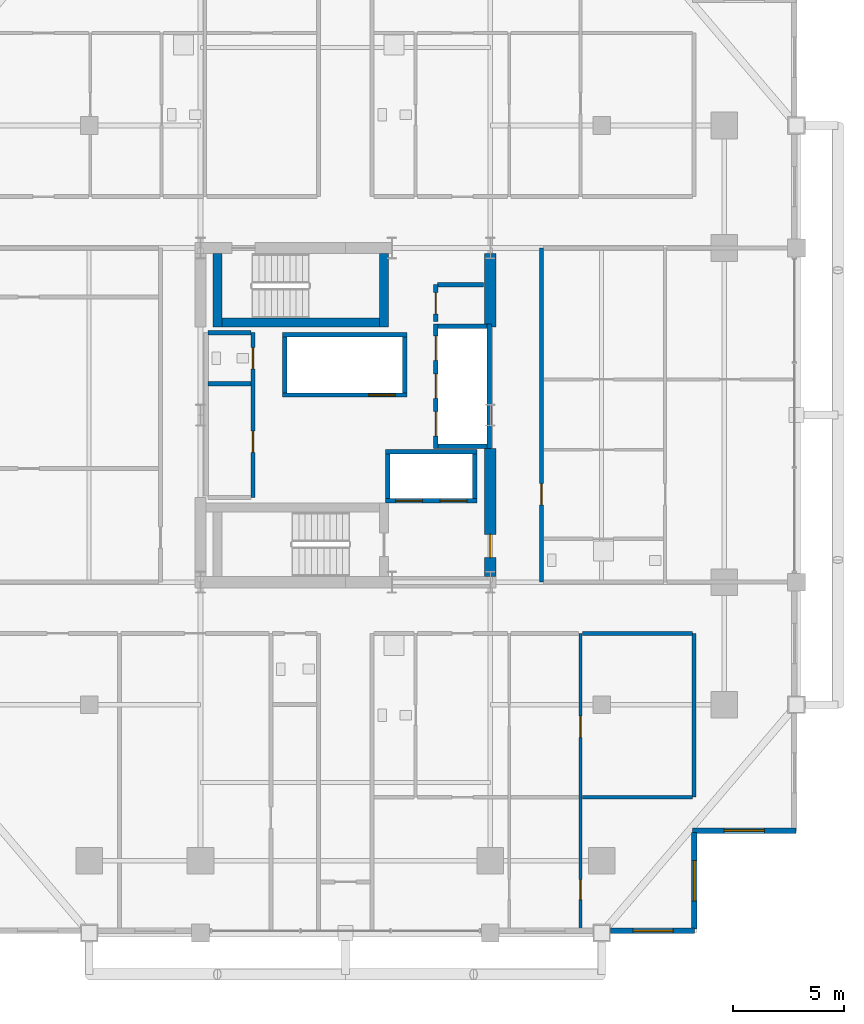
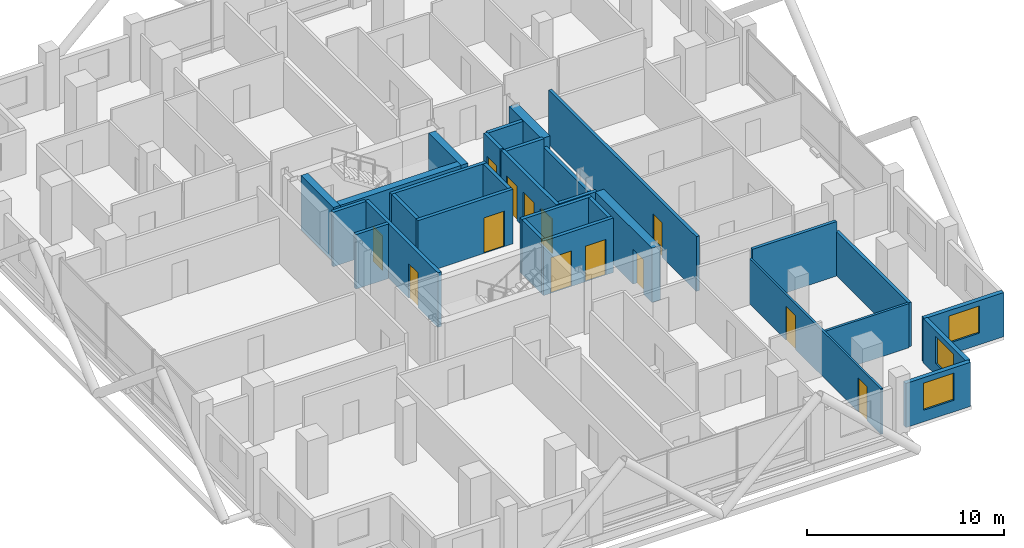
# One storey, part 20 of 25: 30 walls, 13 doors, 3 windows, 16 openings.
"""IFC4 building model written with IfcOpenShell, lengths in metres."""

from ifc_helpers import new_model, si_unit, direction, frame, frame_2d, origin, place, context, subcontext, project, spatial, rectangle, extrude, material, layer, layer_set, type_object, element, fill, save


model = new_model("IFC4")

# Units and contexts
model_context = context("Model", 3, precision=1e-05, world=origin(), true_north=direction((0.0, 1.0)))
body_context = subcontext(model_context, "Body", "Model", "MODEL_VIEW")
ifc_project = project(units=[si_unit("LENGTHUNIT", "METRE"), si_unit("AREAUNIT", "SQUARE_METRE"), si_unit("VOLUMEUNIT", "CUBIC_METRE"), si_unit("PLANEANGLEUNIT", "RADIAN"), si_unit("MASSUNIT", "GRAM", prefix="KILO")], contexts=[model_context])

# Site, building, storey
site_placement = place(None, origin())
site = spatial("IfcSite", under=ifc_project, at=site_placement, CompositionType="ELEMENT")
building_placement = place(site_placement, origin())
building = spatial("IfcBuilding", under=site, at=building_placement, Name="Barlavira Tower and Art Museum", CompositionType="ELEMENT")
storey_placement = place(building_placement, frame((0.0, 0.0, 144.0)))
storey = spatial("IfcBuildingStorey", under=building, at=storey_placement, Name="L36", CompositionType="ELEMENT", Elevation=144.0)

# Wall, openings, doors
ifc_material_1 = material(Name="Gypsum acoustic stud partition", Category="gypsum")
ifc_layer_1 = layer(ifc_material_1, 0.1201171875, Name="Gypsum acoustic stud partition")
ifc_layer_set_1 = layer_set([ifc_layer_1], Name="Gypsum acoustic stud partition")
wall_type_1 = type_object("IfcWallType", Name="Apartment Internal Acoustic Partition 120", PredefinedType="PARTITIONING", material=ifc_layer_set_1)
wall_1_placement = place(storey_placement, frame((10.550048828125, -23.14990234375, 0.0), z_axis=(0.0, 0.0, 1.0), x_axis=(0.0, 1.0, 0.0)))
wall_1 = element("IfcWall", 1, at=wall_1_placement, inside=storey, type_object=wall_type_1, Name="L36 Partition Wall 20", PredefinedType="PARTITIONING", context=body_context, shape_type="SweptSolid", body=[
    extrude(rectangle(XDim=13.349853515625, YDim=0.1201171875, at=frame_2d((6.6748046875, 0.0))), origin(), (0.0, 0.0, 1.0), 2.81591796875),
])
opening_1_placement = place(wall_1_placement, frame((8.686767578125, 0.0, 0.0)))
opening_1 = element("IfcOpeningElement", 2, at=opening_1_placement, cuts=wall_1, Name="Opening D-02", PredefinedType="OPENING", context=body_context, shape_type="SweptSolid", body=[
    extrude(rectangle(XDim=0.949951171875, YDim=2.10009765625, at=frame_2d((0.47509765625, 1.050048828125))), frame((0.0, 0.070068359375, 0.0), z_axis=(0.0, -1.0, 0.0), x_axis=(1.0, 0.0, 0.0)), (0.0, 0.0, 1.0), 0.14013671875),
])
opening_2_placement = place(wall_1_placement, frame((1.39892578125, 0.0, 0.0)))
opening_2 = element("IfcOpeningElement", 3, at=opening_2_placement, cuts=wall_1, Name="Opening D-01", PredefinedType="OPENING", context=body_context, shape_type="SweptSolid", body=[
    extrude(rectangle(XDim=0.89990234375, YDim=2.10009765625, at=frame_2d((0.449951171875, 1.050048828125))), frame((0.0, 0.070068359375, 0.0), z_axis=(0.0, -1.0, 0.0), x_axis=(1.0, 0.0, 0.0)), (0.0, 0.0, 1.0), 0.14013671875),
])
ifc_material_2 = material(Name="Engineered coastal hardwood", Category="wood")
door_type_1 = type_object("IfcDoorType", Name="Internal Bedroom Timber Flush Door 900x2100", OperationType="NOTDEFINED", PredefinedType="DOOR", material=ifc_material_2)
door_1_placement = place(opening_2_placement, origin())
door_1 = element("IfcDoor", 4, at=door_1_placement, inside=storey, type_object=door_type_1, Name="Apartment SE1 Bedroom 2 Door", OperationType="SINGLE_SWING_LEFT", OverallHeight=2.10009765625, OverallWidth=0.89990234375, PredefinedType="DOOR", context=body_context, shape_type="SweptSolid", body=[
    extrude(rectangle(XDim=0.89990234375, YDim=2.10009765625, at=frame_2d((0.449951171875, 1.050048828125))), frame((0.0, 0.02490234375, 0.0), z_axis=(0.0, -1.0, 0.0), x_axis=(1.0, 0.0, 0.0)), (0.0, 0.0, 1.0), 0.050048828125),
])
fill(opening_2, door_1)
door_type_2 = type_object("IfcDoorType", Name="Living and Salon Glazed-Leaf Door 950x2100", OperationType="NOTDEFINED", PredefinedType="DOOR", material=ifc_material_2)
door_2_placement = place(opening_1_placement, origin())
door_2 = element("IfcDoor", 5, at=door_2_placement, inside=storey, type_object=door_type_2, Name="Apartment SE1 Dining Salon Door", OperationType="SINGLE_SWING_RIGHT", OverallHeight=2.10009765625, OverallWidth=0.949951171875, PredefinedType="DOOR", context=body_context, shape_type="SweptSolid", body=[
    extrude(rectangle(XDim=0.949951171875, YDim=2.10009765625, at=frame_2d((0.47509765625, 1.050048828125))), frame((0.0, 0.02490234375, 0.0), z_axis=(0.0, -1.0, 0.0), x_axis=(1.0, 0.0, 0.0)), (0.0, 0.0, 1.0), 0.050048828125),
])
fill(opening_1, door_2)

# Wall, opening, door
ifc_material_3 = material(Name="Concrete C60", Category="concrete")
ifc_layer_2 = layer(ifc_material_3, 0.5, Name="Concrete C60")
ifc_layer_set_2 = layer_set([ifc_layer_2], Name="Concrete C60")
wall_type_2 = type_object("IfcWallType", Name="Core Structural Shear Wall 500 Concrete C60", PredefinedType="SHEAR", material=ifc_layer_set_2)
wall_2_placement = place(storey_placement, frame((6.5, -7.25, 0.0), z_axis=(0.0, 0.0, 1.0), x_axis=(0.0, 1.0, 0.0)))
wall_2 = element("IfcWall", 6, at=wall_2_placement, inside=storey, type_object=wall_type_2, Name="L36 Core Shear Wall CS-E1", PredefinedType="SHEAR", context=body_context, shape_type="SweptSolid", body=[
    extrude(rectangle(XDim=5.75, YDim=0.5, at=frame_2d((2.875, 0.0))), origin(), (0.0, 0.0, 1.0), 3.3798828125),
])
opening_3_placement = place(wall_2_placement, frame((0.85009765625, 0.0, 0.0)))
opening_3 = element("IfcOpeningElement", 7, at=opening_3_placement, cuts=wall_2, Name="Opening FD-90", PredefinedType="OPENING", context=body_context, shape_type="SweptSolid", body=[
    extrude(rectangle(XDim=1.050048828125, YDim=2.14990234375, at=frame_2d((0.52490234375, 1.074951171875))), frame((0.0, 0.260009765625, 0.0), z_axis=(0.0, -1.0, 0.0), x_axis=(1.0, 0.0, 0.0)), (0.0, 0.0, 1.0), 0.52001953125),
])
ifc_material_4 = material(Name="Brushed stainless steel", Category="steel")
door_type_3 = type_object("IfcDoorType", Name="Stair and Refuge Fire Door 1050x2150 FD90S", OperationType="NOTDEFINED", PredefinedType="DOOR", material=ifc_material_4)
door_3_placement = place(opening_3_placement, origin())
door_3 = element("IfcDoor", 8, at=door_3_placement, inside=storey, type_object=door_type_3, Name="L36 Firefighting Lobby Entry Fire Door", OperationType="SINGLE_SWING_LEFT", OverallHeight=2.14990234375, OverallWidth=1.050048828125, PredefinedType="DOOR", context=body_context, shape_type="SweptSolid", body=[
    extrude(rectangle(XDim=1.050048828125, YDim=2.14990234375, at=frame_2d((0.52490234375, 1.074951171875))), frame((0.0, 0.02490234375, 0.0), z_axis=(0.0, -1.0, 0.0), x_axis=(1.0, 0.0, 0.0)), (0.0, 0.0, 1.0), 0.050048828125),
])
fill(opening_3, door_3)

# Wall
wall_3_placement = place(storey_placement, frame((6.5, 3.949951171875, 0.0), z_axis=(0.0, 0.0, 1.0), x_axis=(0.0, 1.0, 0.0)))
element("IfcWall", 9, at=wall_3_placement, inside=storey, type_object=wall_type_2, Name="L36 Core Shear Wall CS-E2", PredefinedType="SHEAR", context=body_context, shape_type="SweptSolid", body=[
    extrude(rectangle(XDim=3.300048828125, YDim=0.5, at=frame_2d((1.64990234375, 0.0))), origin(), (0.0, 0.0, 1.0), 3.3798828125),
])

# Wall, openings, doors
ifc_material_5 = material(Name="Autoclaved aerated concrete masonry", Category="masonry")
ifc_layer_3 = layer(ifc_material_5, 0.199951171875, Name="Autoclaved aerated concrete masonry")
ifc_layer_set_3 = layer_set([ifc_layer_3], Name="Autoclaved aerated concrete masonry")
wall_type_3 = type_object("IfcWallType", Name="Fire Compartment and Shaft Wall 200", PredefinedType="SOLIDWALL", material=ifc_layer_set_3)
wall_4_placement = place(storey_placement, frame((4.050048828125, -1.489990234375, 0.0), z_axis=(0.0, 0.0, 1.0), x_axis=(0.0, 1.0, 0.0)))
wall_4 = element("IfcWall", 10, at=wall_4_placement, inside=storey, type_object=wall_type_3, Name="L36 Mid-Rise Lift Front Shaft Wall", PredefinedType="SOLIDWALL", context=body_context, shape_type="SweptSolid", body=[
    extrude(rectangle(XDim=5.580078125, YDim=0.199951171875, at=frame_2d((2.7900390625, 0.0))), origin(), (0.0, 0.0, 1.0), 3.3798828125),
])
opening_4_placement = place(wall_4_placement, frame((0.5400390625, 0.0, 0.0)))
opening_4 = element("IfcOpeningElement", 11, at=opening_4_placement, cuts=wall_4, Name="Opening LD-P", PredefinedType="OPENING", context=body_context, shape_type="SweptSolid", body=[
    extrude(rectangle(XDim=1.10009765625, YDim=2.14990234375, at=frame_2d((0.550048828125, 1.074951171875))), frame((0.0, 0.10986328125, 0.0), z_axis=(0.0, -1.0, 0.0), x_axis=(1.0, 0.0, 0.0)), (0.0, 0.0, 1.0), 0.219970703125),
])
opening_5_placement = place(wall_4_placement, frame((2.239990234375, 0.0, 0.0)))
opening_5 = element("IfcOpeningElement", 12, at=opening_5_placement, cuts=wall_4, Name="Opening LD-P", PredefinedType="OPENING", context=body_context, shape_type="SweptSolid", body=[
    extrude(rectangle(XDim=1.10009765625, YDim=2.14990234375, at=frame_2d((0.550048828125, 1.074951171875))), frame((0.0, 0.10986328125, 0.0), z_axis=(0.0, -1.0, 0.0), x_axis=(1.0, 0.0, 0.0)), (0.0, 0.0, 1.0), 0.219970703125),
])
opening_6_placement = place(wall_4_placement, frame((3.93994140625, 0.0, 0.0)))
opening_6 = element("IfcOpeningElement", 13, at=opening_6_placement, cuts=wall_4, Name="Opening LD-P", PredefinedType="OPENING", context=body_context, shape_type="SweptSolid", body=[
    extrude(rectangle(XDim=1.10009765625, YDim=2.14990234375, at=frame_2d((0.550048828125, 1.074951171875))), frame((0.0, 0.10986328125, 0.0), z_axis=(0.0, -1.0, 0.0), x_axis=(1.0, 0.0, 0.0)), (0.0, 0.0, 1.0), 0.219970703125),
])
door_type_4 = type_object("IfcDoorType", Name="Passenger Lift Sliding Landing Door 1100x2150 FD60", OperationType="NOTDEFINED", PredefinedType="DOOR", material=ifc_material_4)
door_4_placement = place(opening_4_placement, origin())
door_4 = element("IfcDoor", 14, at=door_4_placement, inside=storey, type_object=door_type_4, Name="L36 Lift PM1 Sliding Landing Door", OperationType="DOUBLE_DOOR_SLIDING", OverallHeight=2.14990234375, OverallWidth=1.10009765625, PredefinedType="DOOR", context=body_context, shape_type="SweptSolid", body=[
    extrude(rectangle(XDim=1.10009765625, YDim=2.14990234375, at=frame_2d((0.550048828125, 1.074951171875))), frame((0.0, 0.02490234375, 0.0), z_axis=(0.0, -1.0, 0.0), x_axis=(1.0, 0.0, 0.0)), (0.0, 0.0, 1.0), 0.050048828125),
])
fill(opening_4, door_4)
door_5_placement = place(opening_5_placement, origin())
door_5 = element("IfcDoor", 15, at=door_5_placement, inside=storey, type_object=door_type_4, Name="L36 Lift PM2 Sliding Landing Door", OperationType="DOUBLE_DOOR_SLIDING", OverallHeight=2.14990234375, OverallWidth=1.10009765625, PredefinedType="DOOR", context=body_context, shape_type="SweptSolid", body=[
    extrude(rectangle(XDim=1.10009765625, YDim=2.14990234375, at=frame_2d((0.550048828125, 1.074951171875))), frame((0.0, 0.02490234375, 0.0), z_axis=(0.0, -1.0, 0.0), x_axis=(1.0, 0.0, 0.0)), (0.0, 0.0, 1.0), 0.050048828125),
])
fill(opening_5, door_5)
door_6_placement = place(opening_6_placement, origin())
door_6 = element("IfcDoor", 16, at=door_6_placement, inside=storey, type_object=door_type_4, Name="L36 Lift PM3 Sliding Landing Door", OperationType="DOUBLE_DOOR_SLIDING", OverallHeight=2.14990234375, OverallWidth=1.10009765625, PredefinedType="DOOR", context=body_context, shape_type="SweptSolid", body=[
    extrude(rectangle(XDim=1.10009765625, YDim=2.14990234375, at=frame_2d((0.550048828125, 1.074951171875))), frame((0.0, 0.02490234375, 0.0), z_axis=(0.0, -1.0, 0.0), x_axis=(1.0, 0.0, 0.0)), (0.0, 0.0, 1.0), 0.050048828125),
])
fill(opening_6, door_6)

# Walls
wall_5_placement = place(storey_placement, frame((6.449951171875, -1.489990234375, 0.0), z_axis=(0.0, 0.0, 1.0), x_axis=(0.0, 1.0, 0.0)))
element("IfcWall", 17, at=wall_5_placement, inside=storey, type_object=wall_type_3, Name="L36 Mid-Rise Lift Back Shaft Wall", PredefinedType="SOLIDWALL", context=body_context, shape_type="SweptSolid", body=[
    extrude(rectangle(XDim=5.580078125, YDim=0.199951171875, at=frame_2d((2.7900390625, 0.0))), origin(), (0.0, 0.0, 1.0), 2.81591796875),
])
for number, where, z_axis, x_axis, name in (
    (18, (4.14990234375, -1.389892578125, 0.0), (0.0, 0.0, 1.0), (1.0, 0.0, 0.0), "L36 Mid-Rise Lift South Shaft Wall"),
    (19, (4.14990234375, 3.989990234375, 0.0), (0.0, 0.0, 1.0), (1.0, 0.0, 0.0), "L36 Mid-Rise Lift North Shaft Wall"),
):
    element("IfcWall", number, at=place(storey_placement, frame(where, z_axis=z_axis, x_axis=x_axis)), inside=storey, type_object=wall_type_3, Name=name, PredefinedType="SOLIDWALL", context=body_context, shape_type="SweptSolid", body=[
        extrude(rectangle(XDim=2.2001953125, YDim=0.199951171875, at=frame_2d((1.10009765625, 0.0))), origin(), (0.0, 0.0, 1.0), 3.3798828125),
    ])

# Wall, opening, door
wall_6_placement = place(storey_placement, frame((-2.820068359375, 0.89990234375, 0.0), z_axis=(0.0, 0.0, 1.0), x_axis=(1.0, 0.0, 0.0)))
wall_6 = element("IfcWall", 20, at=wall_6_placement, inside=storey, type_object=wall_type_3, Name="L36 High-Rise & Service Lift Front Wall", PredefinedType="SOLIDWALL", context=body_context, shape_type="SweptSolid", body=[
    extrude(rectangle(XDim=5.580078125, YDim=0.199951171875, at=frame_2d((2.7900390625, 0.0))), origin(), (0.0, 0.0, 1.0), 3.3798828125),
])
opening_7_placement = place(wall_6_placement, frame((3.860107421875, 0.0, 0.0)))
opening_7 = element("IfcOpeningElement", 21, at=opening_7_placement, cuts=wall_6, Name="Opening LD-F", PredefinedType="OPENING", context=body_context, shape_type="SweptSolid", body=[
    extrude(rectangle(XDim=1.199951171875, YDim=2.199951171875, at=frame_2d((0.60009765625, 1.10009765625))), frame((0.0, 0.10986328125, 0.0), z_axis=(0.0, -1.0, 0.0), x_axis=(1.0, 0.0, 0.0)), (0.0, 0.0, 1.0), 0.219970703125),
])
door_type_5 = type_object("IfcDoorType", Name="Firefighting and Service Lift Sliding Door 1200x2200 FD120", OperationType="NOTDEFINED", PredefinedType="DOOR", material=ifc_material_4)
door_7_placement = place(opening_7_placement, origin())
door_7 = element("IfcDoor", 22, at=door_7_placement, inside=storey, type_object=door_type_5, Name="L36 Stretcher Service Lift SL1 Sliding Door", OperationType="DOUBLE_DOOR_SLIDING", OverallHeight=2.199951171875, OverallWidth=1.199951171875, PredefinedType="DOOR", context=body_context, shape_type="SweptSolid", body=[
    extrude(rectangle(XDim=1.199951171875, YDim=2.199951171875, at=frame_2d((0.60009765625, 1.10009765625))), frame((0.0, 0.02490234375, 0.0), z_axis=(0.0, -1.0, 0.0), x_axis=(1.0, 0.0, 0.0)), (0.0, 0.0, 1.0), 0.050048828125),
])
fill(opening_7, door_7)

# Walls
wall_7_placement = place(storey_placement, frame((-2.820068359375, 3.60009765625, 0.0), z_axis=(0.0, 0.0, 1.0), x_axis=(1.0, 0.0, 0.0)))
element("IfcWall", 23, at=wall_7_placement, inside=storey, type_object=wall_type_3, Name="L36 High-Rise & Service Lift Back Wall", PredefinedType="SOLIDWALL", context=body_context, shape_type="SweptSolid", body=[
    extrude(rectangle(XDim=5.580078125, YDim=0.199951171875, at=frame_2d((2.7900390625, 0.0))), origin(), (0.0, 0.0, 1.0), 3.3798828125),
])
for number, where, z_axis, x_axis, name in (
    (24, (-2.719970703125, 1.0, 0.0), (0.0, 0.0, 1.0), (0.0, 1.0, 0.0), "L36 High-Rise & Service Lift West Wall"),
    (25, (2.659912109375, 1.0, 0.0), (0.0, 0.0, 1.0), (0.0, 1.0, 0.0), "L36 High-Rise & Service Lift East Wall"),
):
    element("IfcWall", number, at=place(storey_placement, frame(where, z_axis=z_axis, x_axis=x_axis)), inside=storey, type_object=wall_type_3, Name=name, PredefinedType="SOLIDWALL", context=body_context, shape_type="SweptSolid", body=[
        extrude(rectangle(XDim=2.5, YDim=0.199951171875, at=frame_2d((1.25, 0.0))), origin(), (0.0, 0.0, 1.0), 3.3798828125),
    ])

# Wall, openings, doors
wall_8_placement = place(storey_placement, frame((1.800048828125, -3.85009765625, 0.0), z_axis=(0.0, 0.0, 1.0), x_axis=(1.0, 0.0, 0.0)))
wall_8 = element("IfcWall", 26, at=wall_8_placement, inside=storey, type_object=wall_type_3, Name="L36 Firefighting Lift Front Shaft Wall", PredefinedType="SOLIDWALL", context=body_context, shape_type="SweptSolid", body=[
    extrude(rectangle(XDim=4.099853515625, YDim=0.199951171875, at=frame_2d((2.0498046875, 0.0))), origin(), (0.0, 0.0, 1.0), 3.3798828125),
])
opening_8_placement = place(wall_8_placement, frame((0.449951171875, 0.0, 0.0)))
opening_8 = element("IfcOpeningElement", 27, at=opening_8_placement, cuts=wall_8, Name="Opening LD-F", PredefinedType="OPENING", context=body_context, shape_type="SweptSolid", body=[
    extrude(rectangle(XDim=1.199951171875, YDim=2.199951171875, at=frame_2d((0.60009765625, 1.10009765625))), frame((0.0, 0.10986328125, 0.0), z_axis=(0.0, -1.0, 0.0), x_axis=(1.0, 0.0, 0.0)), (0.0, 0.0, 1.0), 0.219970703125),
])
opening_9_placement = place(wall_8_placement, frame((2.449951171875, 0.0, 0.0)))
opening_9 = element("IfcOpeningElement", 28, at=opening_9_placement, cuts=wall_8, Name="Opening LD-F", PredefinedType="OPENING", context=body_context, shape_type="SweptSolid", body=[
    extrude(rectangle(XDim=1.199951171875, YDim=2.199951171875, at=frame_2d((0.60009765625, 1.10009765625))), frame((0.0, 0.10986328125, 0.0), z_axis=(0.0, -1.0, 0.0), x_axis=(1.0, 0.0, 0.0)), (0.0, 0.0, 1.0), 0.219970703125),
])
door_8_placement = place(opening_8_placement, origin())
door_8 = element("IfcDoor", 29, at=door_8_placement, inside=storey, type_object=door_type_5, Name="L36 Firefighting Lift FF1 Sliding Door", OperationType="DOUBLE_DOOR_SLIDING", OverallHeight=2.199951171875, OverallWidth=1.199951171875, PredefinedType="DOOR", context=body_context, shape_type="SweptSolid", body=[
    extrude(rectangle(XDim=1.199951171875, YDim=2.199951171875, at=frame_2d((0.60009765625, 1.10009765625))), frame((0.0, 0.02490234375, 0.0), z_axis=(0.0, -1.0, 0.0), x_axis=(1.0, 0.0, 0.0)), (0.0, 0.0, 1.0), 0.050048828125),
])
fill(opening_8, door_8)
door_9_placement = place(opening_9_placement, origin())
door_9 = element("IfcDoor", 30, at=door_9_placement, inside=storey, type_object=door_type_5, Name="L36 Firefighting Lift FF2 Sliding Door", OperationType="DOUBLE_DOOR_SLIDING", OverallHeight=2.199951171875, OverallWidth=1.199951171875, PredefinedType="DOOR", context=body_context, shape_type="SweptSolid", body=[
    extrude(rectangle(XDim=1.199951171875, YDim=2.199951171875, at=frame_2d((0.60009765625, 1.10009765625))), frame((0.0, 0.02490234375, 0.0), z_axis=(0.0, -1.0, 0.0), x_axis=(1.0, 0.0, 0.0)), (0.0, 0.0, 1.0), 0.050048828125),
])
fill(opening_9, door_9)

# Walls
wall_9_placement = place(storey_placement, frame((1.800048828125, -1.64990234375, 0.0), z_axis=(0.0, 0.0, 1.0), x_axis=(1.0, 0.0, 0.0)))
element("IfcWall", 31, at=wall_9_placement, inside=storey, type_object=wall_type_3, Name="L36 Firefighting Lift Back Shaft Wall", PredefinedType="SOLIDWALL", context=body_context, shape_type="SweptSolid", body=[
    extrude(rectangle(XDim=4.099853515625, YDim=0.199951171875, at=frame_2d((2.0498046875, 0.0))), origin(), (0.0, 0.0, 1.0), 3.3798828125),
])
for number, where, z_axis, x_axis, name in (
    (32, (1.89990234375, -3.75, 0.0), (0.0, 0.0, 1.0), (0.0, 1.0, 0.0), "L36 Firefighting Lift West Shaft Wall"),
    (33, (5.800048828125, -3.75, 0.0), (0.0, 0.0, 1.0), (0.0, 1.0, 0.0), "L36 Firefighting Lift East Shaft Wall"),
):
    element("IfcWall", number, at=place(storey_placement, frame(where, z_axis=z_axis, x_axis=x_axis)), inside=storey, type_object=wall_type_3, Name=name, PredefinedType="SOLIDWALL", context=body_context, shape_type="SweptSolid", body=[
        extrude(rectangle(XDim=2.0, YDim=0.199951171875, at=frame_2d((1.0, 0.0))), origin(), (0.0, 0.0, 1.0), 3.3798828125),
    ])

# Wall, openings, doors
wall_10_placement = place(storey_placement, frame((-4.14990234375, -3.699951171875, 0.0), z_axis=(0.0, 0.0, 1.0), x_axis=(0.0, 1.0, 0.0)))
wall_10 = element("IfcWall", 34, at=wall_10_placement, inside=storey, type_object=wall_type_3, Name="L36 Partition Wall 8", PredefinedType="SOLIDWALL", context=body_context, shape_type="SweptSolid", body=[
    extrude(rectangle(XDim=7.39990234375, YDim=0.199951171875, at=frame_2d((3.699951171875, 0.0))), origin(), (0.0, 0.0, 1.0), 3.3798828125),
])
opening_10_placement = place(wall_10_placement, frame((2.02490234375, 0.0, 0.0)))
opening_10 = element("IfcOpeningElement", 35, at=opening_10_placement, cuts=wall_10, Name="Opening FD-60", PredefinedType="OPENING", context=body_context, shape_type="SweptSolid", body=[
    extrude(rectangle(XDim=0.949951171875, YDim=2.14990234375, at=frame_2d((0.47509765625, 1.074951171875))), frame((0.0, 0.10986328125, 0.0), z_axis=(0.0, -1.0, 0.0), x_axis=(1.0, 0.0, 0.0)), (0.0, 0.0, 1.0), 0.219970703125),
])
opening_11_placement = place(wall_10_placement, frame((5.77490234375, 0.0, 0.0)))
opening_11 = element("IfcOpeningElement", 36, at=opening_11_placement, cuts=wall_10, Name="Opening FD-60", PredefinedType="OPENING", context=body_context, shape_type="SweptSolid", body=[
    extrude(rectangle(XDim=0.949951171875, YDim=2.14990234375, at=frame_2d((0.47509765625, 1.074951171875))), frame((0.0, 0.10986328125, 0.0), z_axis=(0.0, -1.0, 0.0), x_axis=(1.0, 0.0, 0.0)), (0.0, 0.0, 1.0), 0.219970703125),
])
door_type_6 = type_object("IfcDoorType", Name="Apartment Entrance and Riser Fire Door 950x2150 FD60S", OperationType="NOTDEFINED", PredefinedType="DOOR", material=ifc_material_4)
door_10_placement = place(opening_10_placement, origin())
door_10 = element("IfcDoor", 37, at=door_10_placement, inside=storey, type_object=door_type_6, Name="Reclaimed Core Resident Parcel Room Door", OperationType="SINGLE_SWING_LEFT", OverallHeight=2.14990234375, OverallWidth=0.949951171875, PredefinedType="DOOR", context=body_context, shape_type="SweptSolid", body=[
    extrude(rectangle(XDim=0.949951171875, YDim=2.14990234375, at=frame_2d((0.47509765625, 1.074951171875))), frame((0.0, 0.02490234375, 0.0), z_axis=(0.0, -1.0, 0.0), x_axis=(1.0, 0.0, 0.0)), (0.0, 0.0, 1.0), 0.050048828125),
])
fill(opening_10, door_10)
door_11_placement = place(opening_11_placement, origin())
door_11 = element("IfcDoor", 38, at=door_11_placement, inside=storey, type_object=door_type_6, Name="Reclaimed Core Accessible WC Door", OperationType="SINGLE_SWING_RIGHT", OverallHeight=2.14990234375, OverallWidth=0.949951171875, PredefinedType="DOOR", context=body_context, shape_type="SweptSolid", body=[
    extrude(rectangle(XDim=0.949951171875, YDim=2.14990234375, at=frame_2d((0.47509765625, 1.074951171875))), frame((0.0, 0.02490234375, 0.0), z_axis=(0.0, -1.0, 0.0), x_axis=(1.0, 0.0, 0.0)), (0.0, 0.0, 1.0), 0.050048828125),
])
fill(opening_11, door_11)

# Wall, opening, door
wall_11_placement = place(storey_placement, frame((4.050048828125, 4.199951171875, 0.0), z_axis=(0.0, 0.0, 1.0), x_axis=(0.0, 1.0, 0.0)))
wall_11 = element("IfcWall", 39, at=wall_11_placement, inside=storey, type_object=wall_type_3, Name="L36 Partition Wall 16", PredefinedType="SOLIDWALL", context=body_context, shape_type="SweptSolid", body=[
    extrude(rectangle(XDim=1.650146484375, YDim=0.199951171875, at=frame_2d((0.8251953125, 0.0))), origin(), (0.0, 0.0, 1.0), 3.3798828125),
])
opening_12_placement = place(wall_11_placement, frame((0.344970703125, 0.0, 0.0)))
opening_12 = element("IfcOpeningElement", 40, at=opening_12_placement, cuts=wall_11, Name="Opening FD-60", PredefinedType="OPENING", context=body_context, shape_type="SweptSolid", body=[
    extrude(rectangle(XDim=0.949951171875, YDim=2.14990234375, at=frame_2d((0.47509765625, 1.074951171875))), frame((0.0, 0.10986328125, 0.0), z_axis=(0.0, -1.0, 0.0), x_axis=(1.0, 0.0, 0.0)), (0.0, 0.0, 1.0), 0.219970703125),
])
door_12_placement = place(opening_12_placement, origin())
door_12 = element("IfcDoor", 41, at=door_12_placement, inside=storey, type_object=door_type_6, Name="Telecom and BMS Distribution Room Door", OperationType="SINGLE_SWING_LEFT", OverallHeight=2.14990234375, OverallWidth=0.949951171875, PredefinedType="DOOR", context=body_context, shape_type="SweptSolid", body=[
    extrude(rectangle(XDim=0.949951171875, YDim=2.14990234375, at=frame_2d((0.47509765625, 1.074951171875))), frame((0.0, 0.02490234375, 0.0), z_axis=(0.0, -1.0, 0.0), x_axis=(1.0, 0.0, 0.0)), (0.0, 0.0, 1.0), 0.050048828125),
])
fill(opening_12, door_12)

# Walls
for number, where, z_axis, x_axis, name in (
    (42, (-6.169921875, 1.39990234375, 0.0), (0.0, 0.0, 1.0), (1.0, 0.0, 0.0), "L36 Partition Wall 45"),
    (43, (-6.169921875, 3.699951171875, 0.0), (0.0, 0.0, 1.0), (1.0, 0.0, 0.0), "L36 Partition Wall 48"),
):
    element("IfcWall", number, at=place(storey_placement, frame(where, z_axis=z_axis, x_axis=x_axis)), inside=storey, type_object=wall_type_3, Name=name, PredefinedType="SOLIDWALL", context=body_context, shape_type="SweptSolid", body=[
        extrude(rectangle(XDim=1.93994140625, YDim=0.199951171875, at=frame_2d((0.969970703125, 0.0))), origin(), (0.0, 0.0, 1.0), 3.3798828125),
    ])
wall_12_placement = place(storey_placement, frame((4.1298828125, 5.85009765625, 0.0), z_axis=(0.0, 0.0, 1.0), x_axis=(1.0, 0.0, 0.0)))
element("IfcWall", 44, at=wall_12_placement, inside=storey, type_object=wall_type_3, Name="L36 Partition Wall 50", PredefinedType="SOLIDWALL", context=body_context, shape_type="SweptSolid", body=[
    extrude(rectangle(XDim=2.070068359375, YDim=0.199951171875, at=frame_2d((1.03515625, 0.0))), origin(), (0.0, 0.0, 1.0), 3.3798828125),
])

# Wall, opening, door
ifc_layer_4 = layer(ifc_material_1, 0.179931640625, Name="Gypsum acoustic stud partition")
ifc_layer_set_4 = layer_set([ifc_layer_4], Name="Gypsum acoustic stud partition")
wall_type_4 = type_object("IfcWallType", Name="Inter-Tenancy Party Partition Wall 180", PredefinedType="PARTITIONING", material=ifc_layer_set_4)
wall_13_placement = place(storey_placement, frame((8.800048828125, -7.5, 0.0), z_axis=(0.0, 0.0, 1.0), x_axis=(0.0, 1.0, 0.0)))
wall_13 = element("IfcWall", 45, at=wall_13_placement, inside=storey, type_object=wall_type_4, Name="L36 Partition Wall 19", PredefinedType="PARTITIONING", context=body_context, shape_type="SweptSolid", body=[
    extrude(rectangle(XDim=15.0, YDim=0.179931640625, at=frame_2d((7.5, 0.0))), origin(), (0.0, 0.0, 1.0), 3.3798828125),
])
opening_13_placement = place(wall_13_placement, frame((3.47509765625, 0.0, 0.0)))
opening_13 = element("IfcOpeningElement", 46, at=opening_13_placement, cuts=wall_13, Name="Opening FD-60", PredefinedType="OPENING", context=body_context, shape_type="SweptSolid", body=[
    extrude(rectangle(XDim=0.949951171875, YDim=2.14990234375, at=frame_2d((0.47509765625, 1.074951171875))), frame((0.0, 0.10009765625, 0.0), z_axis=(0.0, -1.0, 0.0), x_axis=(1.0, 0.0, 0.0)), (0.0, 0.0, 1.0), 0.199951171875),
])
door_13_placement = place(opening_13_placement, origin())
door_13 = element("IfcDoor", 47, at=door_13_placement, inside=storey, type_object=door_type_6, Name="Apartment Entrance Hall E1 Door", OperationType="SINGLE_SWING_LEFT", OverallHeight=2.14990234375, OverallWidth=0.949951171875, PredefinedType="DOOR", context=body_context, shape_type="SweptSolid", body=[
    extrude(rectangle(XDim=0.949951171875, YDim=2.14990234375, at=frame_2d((0.47509765625, 1.074951171875))), frame((0.0, 0.02490234375, 0.0), z_axis=(0.0, -1.0, 0.0), x_axis=(1.0, 0.0, 0.0)), (0.0, 0.0, 1.0), 0.050048828125),
])
fill(opening_13, door_13)

# Walls
wall_14_placement = place(storey_placement, frame((15.64990234375, -17.14990234375, 0.0), z_axis=(0.0, 0.0, 1.0), x_axis=(0.0, 1.0, 0.0)))
element("IfcWall", 48, at=wall_14_placement, inside=storey, type_object=wall_type_4, Name="L36 Partition Wall 23", PredefinedType="PARTITIONING", context=body_context, shape_type="SweptSolid", body=[
    extrude(rectangle(XDim=7.349853515625, YDim=0.179931640625, at=frame_2d((3.6748046875, 0.0))), origin(), (0.0, 0.0, 1.0), 2.736083984375),
])
wall_15_placement = place(storey_placement, frame((10.6298828125, -9.800048828125, 0.0), z_axis=(0.0, 0.0, 1.0), x_axis=(1.0, 0.0, 0.0)))
element("IfcWall", 49, at=wall_15_placement, inside=storey, type_object=wall_type_4, Name="L36 Partition Wall 37", PredefinedType="PARTITIONING", context=body_context, shape_type="SweptSolid", body=[
    extrude(rectangle(XDim=4.940185546875, YDim=0.179931640625, at=frame_2d((2.47021484375, 0.0))), origin(), (0.0, 0.0, 1.0), 3.3798828125),
])
ifc_layer_5 = layer(ifc_material_1, 0.139892578125, Name="Gypsum acoustic stud partition")
ifc_layer_set_5 = layer_set([ifc_layer_5], Name="Gypsum acoustic stud partition")
wall_type_5 = type_object("IfcWallType", Name="Moisture-Resistant Bathroom Partition 140", PredefinedType="PARTITIONING", material=ifc_layer_set_5)
wall_16_placement = place(storey_placement, frame((10.6298828125, -17.14990234375, 0.0), z_axis=(0.0, 0.0, 1.0), x_axis=(1.0, 0.0, 0.0)))
element("IfcWall", 50, at=wall_16_placement, inside=storey, type_object=wall_type_5, Name="L36 Partition Wall 29", PredefinedType="PARTITIONING", context=body_context, shape_type="SweptSolid", body=[
    extrude(rectangle(XDim=4.940185546875, YDim=0.139892578125, at=frame_2d((2.47021484375, 0.0))), origin(), (0.0, 0.0, 1.0), 2.736083984375),
])

# Wall, opening, window
ifc_material_6 = material(Name="Precast concrete C40", Category="concrete")
ifc_layer_6 = layer(ifc_material_6, 0.25, Name="Precast concrete C40")
ifc_layer_set_6 = layer_set([ifc_layer_6], Name="Precast concrete C40")
wall_type_6 = type_object("IfcWallType", Name="Notched Corner Spandrel Wall 250 Precast Concrete C40", PredefinedType="SOLIDWALL", material=ifc_layer_set_6)
wall_17_placement = place(storey_placement, frame((11.89501953125, -23.14990234375, 0.0), z_axis=(0.0, 0.0, 1.0), x_axis=(1.0, 0.0, 0.0)))
wall_17 = element("IfcWall", 51, at=wall_17_placement, inside=storey, type_object=wall_type_6, Name="L36 Coastal Facade Pier Wall CW2-L36-S-5", PredefinedType="SOLIDWALL", context=body_context, shape_type="SweptSolid", body=[
    extrude(rectangle(XDim=3.780029296875, YDim=0.25, at=frame_2d((1.89013671875, 0.0))), origin(), (0.0, 0.0, 1.0), 2.736083984375),
])
opening_14_placement = place(wall_17_placement, frame((1.012939453125, 0.0, 0.719970703125)))
opening_14 = element("IfcOpeningElement", 52, at=opening_14_placement, cuts=wall_17, Name="Opening WN-01", PredefinedType="OPENING", context=body_context, shape_type="SweptSolid", body=[
    extrude(rectangle(XDim=1.800048828125, YDim=1.679931640625, at=frame_2d((0.89990234375, 0.83984375))), frame((0.0, 0.135009765625, 0.0), z_axis=(0.0, -1.0, 0.0), x_axis=(1.0, 0.0, 0.0)), (0.0, 0.0, 1.0), 0.27001953125),
])
ifc_material_7 = material(Name="Low-iron coastal laminated glass", Category="glass")
window_type = type_object("IfcWindowType", Name="Recessed Notch Corner Punch Window 1800x1680", PartitioningType="SINGLE_PANEL", PredefinedType="WINDOW", material=ifc_material_7)
window_1_placement = place(opening_14_placement, origin())
window_1 = element("IfcWindow", 53, at=window_1_placement, inside=storey, type_object=window_type, Name="L36 Punched Facade Window EWP-CW2-L36-S-5-1", OverallHeight=1.679931640625, OverallWidth=1.800048828125, PartitioningType="SINGLE_PANEL", PredefinedType="WINDOW", context=body_context, shape_type="SweptSolid", body=[
    extrude(rectangle(XDim=1.800048828125, YDim=1.679931640625, at=frame_2d((0.89990234375, 0.83984375))), frame((0.0, 0.030029296875, 0.0), z_axis=(0.0, -1.0, 0.0), x_axis=(1.0, 0.0, 0.0)), (0.0, 0.0, 1.0), 0.06005859375),
])
fill(opening_14, window_1)

wall_18_placement = place(storey_placement, frame((15.64990234375, -23.070068359375, 0.0), z_axis=(0.0, 0.0, 1.0), x_axis=(0.0, 1.0, 0.0)))
wall_18 = element("IfcWall", 54, at=wall_18_placement, inside=storey, type_object=wall_type_6, Name="L36 Notch Corner Wall SE1", PredefinedType="SOLIDWALL", context=body_context, shape_type="SweptSolid", body=[
    extrude(rectangle(XDim=4.340087890625, YDim=0.25, at=frame_2d((2.169921875, 0.0))), origin(), (0.0, 0.0, 1.0), 2.736083984375),
])
opening_15_placement = place(wall_18_placement, frame((1.27001953125, 0.0, 0.719970703125)))
opening_15 = element("IfcOpeningElement", 55, at=opening_15_placement, cuts=wall_18, Name="Opening WN-01", PredefinedType="OPENING", context=body_context, shape_type="SweptSolid", body=[
    extrude(rectangle(XDim=1.800048828125, YDim=1.679931640625, at=frame_2d((0.89990234375, 0.83984375))), frame((0.0, 0.135009765625, 0.0), z_axis=(0.0, -1.0, 0.0), x_axis=(1.0, 0.0, 0.0)), (0.0, 0.0, 1.0), 0.27001953125),
])
window_2_placement = place(opening_15_placement, origin())
window_2 = element("IfcWindow", 56, at=window_2_placement, inside=storey, type_object=window_type, Name="L36 Punched Facade Window EW-NTC-L36-SE1-1", OverallHeight=1.679931640625, OverallWidth=1.800048828125, PartitioningType="SINGLE_PANEL", PredefinedType="WINDOW", context=body_context, shape_type="SweptSolid", body=[
    extrude(rectangle(XDim=1.800048828125, YDim=1.679931640625, at=frame_2d((0.89990234375, 0.83984375))), frame((0.0, 0.030029296875, 0.0), z_axis=(0.0, -1.0, 0.0), x_axis=(1.0, 0.0, 0.0)), (0.0, 0.0, 1.0), 0.06005859375),
])
fill(opening_15, window_2)

wall_19_placement = place(storey_placement, frame((15.570068359375, -18.64990234375, 0.0), z_axis=(0.0, 0.0, 1.0), x_axis=(1.0, 0.0, 0.0)))
wall_19 = element("IfcWall", 57, at=wall_19_placement, inside=storey, type_object=wall_type_6, Name="L36 Notch Corner Wall SE2", PredefinedType="SOLIDWALL", context=body_context, shape_type="SweptSolid", body=[
    extrude(rectangle(XDim=4.659912109375, YDim=0.25, at=frame_2d((2.330078125, 0.0))), origin(), (0.0, 0.0, 1.0), 2.736083984375),
])
opening_16_placement = place(wall_19_placement, frame((1.429931640625, 0.0, 0.719970703125)))
opening_16 = element("IfcOpeningElement", 58, at=opening_16_placement, cuts=wall_19, Name="Opening WN-01", PredefinedType="OPENING", context=body_context, shape_type="SweptSolid", body=[
    extrude(rectangle(XDim=1.800048828125, YDim=1.679931640625, at=frame_2d((0.89990234375, 0.83984375))), frame((0.0, 0.135009765625, 0.0), z_axis=(0.0, -1.0, 0.0), x_axis=(1.0, 0.0, 0.0)), (0.0, 0.0, 1.0), 0.27001953125),
])
window_3_placement = place(opening_16_placement, origin())
window_3 = element("IfcWindow", 59, at=window_3_placement, inside=storey, type_object=window_type, Name="L36 Punched Facade Window EW-NTC-L36-SE2-1", OverallHeight=1.679931640625, OverallWidth=1.800048828125, PartitioningType="SINGLE_PANEL", PredefinedType="WINDOW", context=body_context, shape_type="SweptSolid", body=[
    extrude(rectangle(XDim=1.800048828125, YDim=1.679931640625, at=frame_2d((0.89990234375, 0.83984375))), frame((0.0, 0.030029296875, 0.0), z_axis=(0.0, -1.0, 0.0), x_axis=(1.0, 0.0, 0.0)), (0.0, 0.0, 1.0), 0.06005859375),
])
fill(opening_16, window_3)

# Walls
ifc_material_8 = material(Name="Concrete C55", Category="concrete")
ifc_layer_7 = layer(ifc_material_8, 0.39990234375, Name="Concrete C55")
ifc_layer_set_7 = layer_set([ifc_layer_7], Name="Concrete C55")
wall_type_7 = type_object("IfcWallType", Name="Upper Core Shear Wall 400 Concrete C55", PredefinedType="SHEAR", material=ifc_layer_set_7)
wall_20_placement = place(storey_placement, frame((-5.550048828125, 4.14990234375, 0.0), z_axis=(0.0, 0.0, 1.0), x_axis=(1.0, 0.0, 0.0)))
element("IfcWall", 60, at=wall_20_placement, inside=storey, type_object=wall_type_7, Name="L36 ST-T2 South Shaft Wall", PredefinedType="SHEAR", context=body_context, shape_type="SweptSolid", body=[
    extrude(rectangle(XDim=7.080078125, YDim=0.39990234375, at=frame_2d((3.5400390625, 0.0))), origin(), (0.0, 0.0, 1.0), 3.3798828125),
])
for number, where, z_axis, x_axis, name in (
    (61, (1.72998046875, 3.949951171875, 0.0), (0.0, 0.0, 1.0), (0.0, 1.0, 0.0), "L36 ST-T2 East Half-Landing Wall"),
    (62, (-5.75, 3.949951171875, 0.0), (0.0, 0.0, 1.0), (0.0, 1.0, 0.0), "L36 ST-T2 West Shaft Wall"),
):
    element("IfcWall", number, at=place(storey_placement, frame(where, z_axis=z_axis, x_axis=x_axis)), inside=storey, type_object=wall_type_7, Name=name, PredefinedType="SHEAR", context=body_context, shape_type="SweptSolid", body=[
        extrude(rectangle(XDim=3.300048828125, YDim=0.39990234375, at=frame_2d((1.64990234375, 0.0))), origin(), (0.0, 0.0, 1.0), 3.3798828125),
    ])

save(model, "model.ifc")
